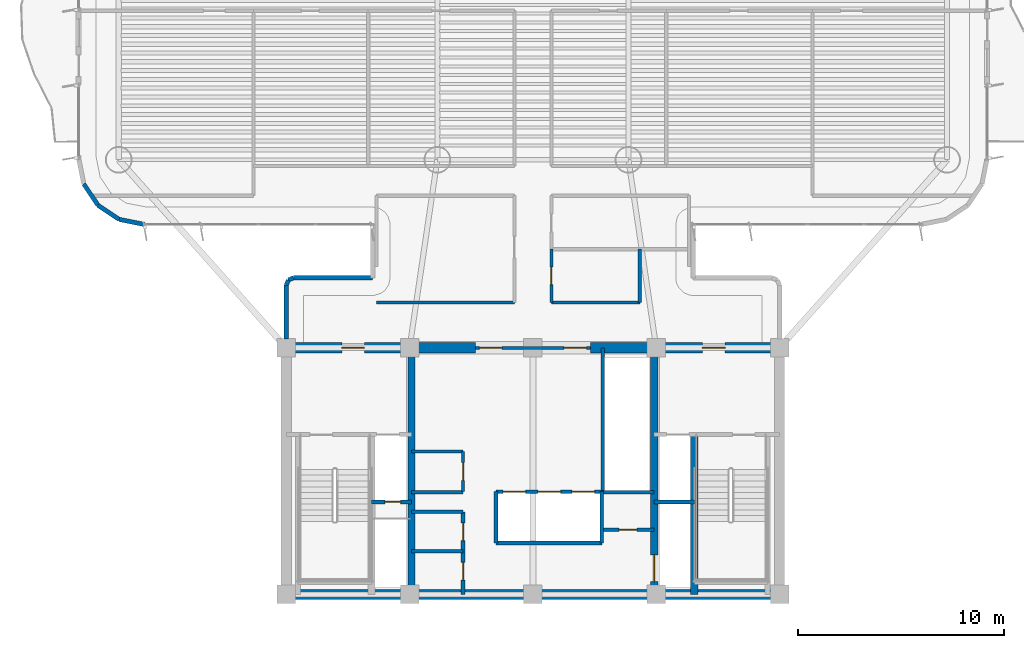
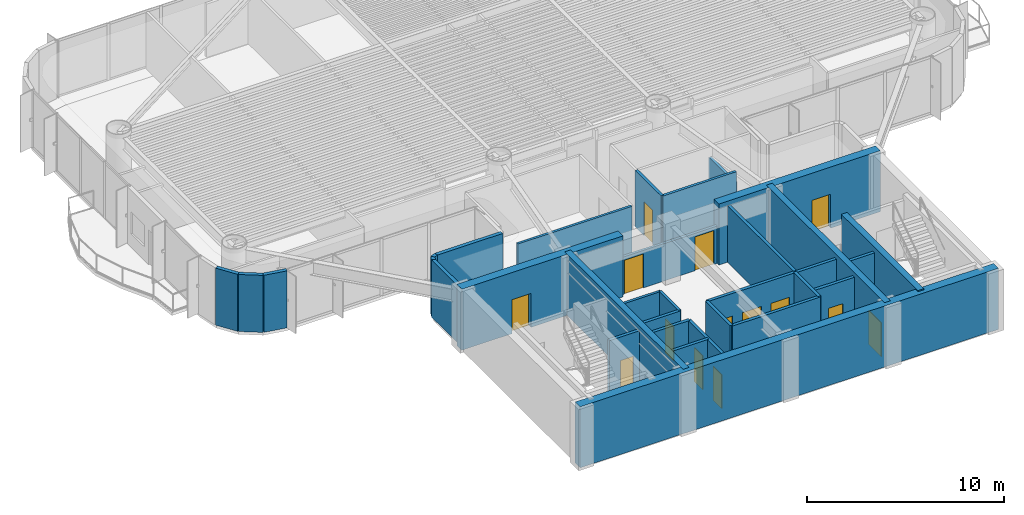
# One storey, part 9 of 16: 33 walls, 14 doors, 14 openings.
"""IFC4 building model written with IfcOpenShell, lengths in metres."""

from ifc_helpers import new_model, si_unit, direction, frame, frame_2d, origin, origin_2d, place, context, subcontext, project, spatial, rectangle, extrude, source, transform, mapped, material, layer, layer_set, type_object, element, fill, save


model = new_model("IFC4")

# Units and contexts
model_context = context("Model", 3, precision=1e-05, world=origin(), true_north=direction((0.0, 1.0)))
body_context = subcontext(model_context, "Body", "Model", "MODEL_VIEW")
ifc_project = project(units=[si_unit("LENGTHUNIT", "METRE"), si_unit("AREAUNIT", "SQUARE_METRE"), si_unit("VOLUMEUNIT", "CUBIC_METRE"), si_unit("PLANEANGLEUNIT", "RADIAN"), si_unit("MASSUNIT", "GRAM", prefix="KILO")], contexts=[model_context])

# Site, building, storey
site_placement = place(None, origin())
site = spatial("IfcSite", under=ifc_project, at=site_placement, CompositionType="ELEMENT")
building_placement = place(site_placement, origin())
building = spatial("IfcBuilding", under=site, at=building_placement, Name="Brelvock Crest Care Tower", CompositionType="ELEMENT")
storey_placement = place(building_placement, frame((0.0, 0.0, 120.06005859375)))
storey = spatial("IfcBuildingStorey", under=building, at=storey_placement, Name="L30", CompositionType="ELEMENT", Elevation=120.06005859375)

# Wall
ifc_material_1 = material(Name="Concrete S80 (80 MPa)", Category="concrete")
ifc_layer_1 = layer(ifc_material_1, 0.5, Name="WL-CS2")
ifc_layer_set_1 = layer_set([ifc_layer_1], Name="Concrete S80 (80 MPa)")
wall_type_1 = type_object("IfcWallType", Name="WL-CS2", PredefinedType="SHEAR", material=ifc_layer_set_1)
wall_1_placement = place(storey_placement, frame((48.25, 6.0, 0.0), z_axis=(0.0, 0.0, 1.0), x_axis=(-1.0, 0.0, 0.0)))
element("IfcWall", 1, at=wall_1_placement, inside=storey, type_object=wall_type_1, Name="L30 Core South Shear Wall", PredefinedType="SHEAR", context=body_context, shape_type="SweptSolid", body=[
    extrude(rectangle(XDim=24.5, YDim=0.5, at=frame_2d((12.25, 0.0))), origin(), (0.0, 0.0, 1.0), 3.780029296875),
])

# Wall, opening, door
wall_2_placement = place(storey_placement, frame((23.75, 18.0, 0.0), z_axis=(0.0, 0.0, 1.0), x_axis=(1.0, 0.0, 0.0)))
wall_2 = element("IfcWall", 2, at=wall_2_placement, inside=storey, type_object=wall_type_1, Name="L30 Core North-West Shear Wall", PredefinedType="SHEAR", context=body_context, shape_type="SweptSolid", body=[
    extrude(rectangle(XDim=9.449951171875, YDim=0.5, at=frame_2d((4.72509765625, 0.0))), origin(), (0.0, 0.0, 1.0), 3.780029296875),
])
opening_1_placement = place(wall_2_placement, frame((2.949951171875, 0.0, 0.0)))
opening_1 = element("IfcOpeningElement", 3, at=opening_1_placement, cuts=wall_2, Name="Opening FD-1", PredefinedType="OPENING", context=body_context, shape_type="SweptSolid", body=[
    extrude(rectangle(XDim=1.10009765625, YDim=2.10009765625, at=origin_2d()), frame((0.550048828125, 0.260009765625, 1.050048828125), z_axis=(0.0, -1.0, 0.0), x_axis=(1.0, 0.0, 0.0)), (0.0, 0.0, 1.0), 0.52001953125),
])
ifc_material_2 = material(Name="Steel Grade 350", Category="steel")
door_type_1 = type_object("IfcDoorType", Name="DR-FFL1", OperationType="NOTDEFINED", PredefinedType="DOOR", material=ifc_material_2)
shared_shape_1 = source(origin(), body_context, "Body", "SweptSolid", [
    extrude(rectangle(XDim=1.10009765625, YDim=2.10009765625, at=origin_2d()), frame((0.550048828125, 0.02490234375, 1.050048828125), z_axis=(0.0, -1.0, 0.0), x_axis=(1.0, 0.0, 0.0)), (0.0, 0.0, 1.0), 0.050048828125),
])
door_1_placement = place(opening_1_placement, origin())
door_1 = element("IfcDoor", 4, at=door_1_placement, inside=storey, type_object=door_type_1, Name="L30 Firefighting Lobby FFL-1 Exit Door", OperationType="SINGLE_SWING_LEFT", OverallHeight=2.10009765625, OverallWidth=1.10009765625, PredefinedType="DOOR", context=body_context, shape_type="MappedRepresentation", body=[
    mapped(shared_shape_1, transform((0.0, 0.0, 0.0), x_axis=(1.0, 0.0, 0.0), y_axis=(0.0, 1.0, 0.0), z_axis=(0.0, 0.0, 1.0), scale=1.0)),
])
fill(opening_1, door_1)

wall_3_placement = place(storey_placement, frame((38.800048828125, 18.0, 0.0), z_axis=(0.0, 0.0, 1.0), x_axis=(1.0, 0.0, 0.0)))
wall_3 = element("IfcWall", 5, at=wall_3_placement, inside=storey, type_object=wall_type_1, Name="L30 Core North-East Shear Wall", PredefinedType="SHEAR", context=body_context, shape_type="SweptSolid", body=[
    extrude(rectangle(XDim=9.449951171875, YDim=0.5, at=frame_2d((4.72509765625, 0.0))), origin(), (0.0, 0.0, 1.0), 3.780029296875),
])
opening_2_placement = place(wall_3_placement, frame((5.449951171875, 0.0, 0.0)))
opening_2 = element("IfcOpeningElement", 6, at=opening_2_placement, cuts=wall_3, Name="Opening FD-1", PredefinedType="OPENING", context=body_context, shape_type="SweptSolid", body=[
    extrude(rectangle(XDim=1.10009765625, YDim=2.10009765625, at=origin_2d()), frame((0.550048828125, 0.260009765625, 1.050048828125), z_axis=(0.0, -1.0, 0.0), x_axis=(1.0, 0.0, 0.0)), (0.0, 0.0, 1.0), 0.52001953125),
])
door_2_placement = place(opening_2_placement, origin())
door_2 = element("IfcDoor", 7, at=door_2_placement, inside=storey, type_object=door_type_1, Name="L30 Firefighting Lobby FFL-2 Exit Door", OperationType="SINGLE_SWING_RIGHT", OverallHeight=2.10009765625, OverallWidth=1.10009765625, PredefinedType="DOOR", context=body_context, shape_type="MappedRepresentation", body=[
    mapped(shared_shape_1, transform((0.0, 0.0, 0.0), x_axis=(1.0, 0.0, 0.0), y_axis=(0.0, 1.0, 0.0), z_axis=(0.0, 0.0, 1.0), scale=1.0)),
])
fill(opening_2, door_2)

# Wall
ifc_layer_2 = layer(ifc_material_1, 0.35009765625, Name="WL-CS5")
ifc_layer_set_2 = layer_set([ifc_layer_2], Name="Concrete S80 (80 MPa)")
wall_type_2 = type_object("IfcWallType", Name="WL-CS5", PredefinedType="SHEAR", material=ifc_layer_set_2)
wall_4_placement = place(storey_placement, frame((30.10009765625, 6.0, 0.0), z_axis=(0.0, 0.0, 1.0), x_axis=(0.0, 1.0, 0.0)))
element("IfcWall", 8, at=wall_4_placement, inside=storey, type_object=wall_type_2, Name="L30 Core Internal Web Wall West", PredefinedType="SHEAR", context=body_context, shape_type="SweptSolid", body=[
    extrude(rectangle(XDim=12.0, YDim=0.35009765625, at=frame_2d((6.0, 0.0))), origin(), (0.0, 0.0, 1.0), 3.780029296875),
])

# Wall, opening, door
wall_5_placement = place(storey_placement, frame((41.89990234375, 18.0, 0.0), z_axis=(0.0, 0.0, 1.0), x_axis=(0.0, -1.0, 0.0)))
wall_5 = element("IfcWall", 9, at=wall_5_placement, inside=storey, type_object=wall_type_2, Name="L30 Core Internal Web Wall East", PredefinedType="SHEAR", context=body_context, shape_type="SweptSolid", body=[
    extrude(rectangle(XDim=12.0, YDim=0.35009765625, at=frame_2d((6.0, 0.0))), origin(), (0.0, 0.0, 1.0), 3.780029296875),
])
opening_3_placement = place(wall_5_placement, frame((10.080078125, 0.0, 0.0)))
opening_3 = element("IfcOpeningElement", 10, at=opening_3_placement, cuts=wall_5, Name="Opening LD-S", PredefinedType="OPENING", context=body_context, shape_type="SweptSolid", body=[
    extrude(rectangle(XDim=1.300048828125, YDim=2.10009765625, at=origin_2d()), frame((0.64990234375, 0.18505859375, 1.050048828125), z_axis=(0.0, -1.0, 0.0), x_axis=(1.0, 0.0, 0.0)), (0.0, 0.0, 1.0), 0.3701171875),
])
door_type_2 = type_object("IfcDoorType", Name="DR-LDS1", OperationType="NOTDEFINED", PredefinedType="DOOR", material=ifc_material_2)
shared_shape_2 = source(origin(), body_context, "Body", "SweptSolid", [
    extrude(rectangle(XDim=1.300048828125, YDim=2.10009765625, at=origin_2d()), frame((0.64990234375, 0.02490234375, 1.050048828125), z_axis=(0.0, -1.0, 0.0), x_axis=(1.0, 0.0, 0.0)), (0.0, 0.0, 1.0), 0.050048828125),
])
door_3_placement = place(opening_3_placement, origin())
door_3 = element("IfcDoor", 11, at=door_3_placement, inside=storey, type_object=door_type_2, Name="L30 Clinical Bed Lift SL-1 Landing Door", OperationType="SLIDING_TO_LEFT", OverallHeight=2.10009765625, OverallWidth=1.300048828125, PredefinedType="DOOR", context=body_context, shape_type="MappedRepresentation", body=[
    mapped(shared_shape_2, transform((0.0, 0.0, 0.0), x_axis=(1.0, 0.0, 0.0), y_axis=(0.0, 1.0, 0.0), z_axis=(0.0, 0.0, 1.0), scale=1.0)),
])
fill(opening_3, door_3)

# Walls
wall_6_placement = place(storey_placement, frame((43.85009765625, 6.0, 0.0), z_axis=(0.0, 0.0, 1.0), x_axis=(0.0, 1.0, 0.0)))
element("IfcWall", 12, at=wall_6_placement, inside=storey, type_object=wall_type_2, Name="L30 Core Stair ST-2 West Shear Wall", PredefinedType="SHEAR", context=body_context, shape_type="SweptSolid", body=[
    extrude(rectangle(XDim=7.780029296875, YDim=0.35009765625, at=frame_2d((3.89013671875, 0.0))), origin(), (0.0, 0.0, 1.0), 3.849853515625),
])
ifc_material_3 = material(Name="Precast concrete N40 (40 MPa)", Category="concrete")
ifc_layer_3 = layer(ifc_material_3, 0.215087890625, Name="WL-EX2")
ifc_layer_set_3 = layer_set([ifc_layer_3], Name="Precast concrete N40 (40 MPa)")
wall_type_3 = type_object("IfcWallType", Name="WL-EX2", PredefinedType="SOLIDWALL", material=ifc_layer_set_3)
wall_7_placement = place(storey_placement, frame((24.0, 18.429931640625, 0.0), z_axis=(0.0, 0.0, 1.0), x_axis=(0.0, 1.0, 0.0)))
element("IfcWall", 13, at=wall_7_placement, inside=storey, type_object=wall_type_3, Name="L30 Rounded Corner Wall 07", PredefinedType="SOLIDWALL", context=body_context, shape_type="SweptSolid", body=[
    extrude(rectangle(XDim=2.6201171875, YDim=0.215087890625, at=frame_2d((1.31005859375, 0.0))), origin(), (0.0, 0.0, 1.0), 3.530029296875),
])
wall_8_placement = place(storey_placement, frame((24.0, 21.050048828125, 0.0), z_axis=(0.0, 0.0, 1.0), x_axis=(0.382673670509, 0.923883575944, 0.0)))
element("IfcWall", 14, at=wall_8_placement, inside=storey, type_object=wall_type_3, Name="L30 Rounded Corner Wall 08", PredefinedType="SOLIDWALL", context=body_context, shape_type="SweptSolid", body=[
    extrude(rectangle(XDim=0.26806640625, YDim=0.215087890625, at=frame_2d((0.134033203125, 0.0))), origin(), (0.0, 0.0, 1.0), 3.530029296875),
])
wall_9_placement = place(storey_placement, frame((24.1025390625, 21.297607421875, 0.0), z_axis=(0.0, 0.0, 1.0), x_axis=(0.924205486139, 0.381895560841, 0.0)))
element("IfcWall", 15, at=wall_9_placement, inside=storey, type_object=wall_type_3, Name="L30 Rounded Corner Wall 09", PredefinedType="SOLIDWALL", context=body_context, shape_type="SweptSolid", body=[
    extrude(rectangle(XDim=0.267822265625, YDim=0.215087890625, at=frame_2d((0.1337890625, 0.0))), origin(), (0.0, 0.0, 1.0), 3.530029296875),
])
wall_10_placement = place(storey_placement, frame((24.35009765625, 21.39990234375, 0.0), z_axis=(0.0, 0.0, 1.0), x_axis=(1.0, 0.0, 0.0)))
element("IfcWall", 16, at=wall_10_placement, inside=storey, type_object=wall_type_3, Name="L30 Rounded Corner Wall 10", PredefinedType="SOLIDWALL", context=body_context, shape_type="SweptSolid", body=[
    extrude(rectangle(XDim=3.849853515625, YDim=0.215087890625, at=frame_2d((1.9248046875, 0.0))), origin(), (0.0, 0.0, 1.0), 3.530029296875),
])
for number, where, z_axis, x_axis, name in (
    (17, (17.10009765625, 24.0, 0.0), (0.0, 0.0, 1.0), (-0.980775717779, 0.195138390419, 0.0), "L30 Rounded Corner Wall 13"),
    (18, (15.87548828125, 24.24365234375, 0.0), (0.0, 0.0, 1.0), (-0.831478245117, 0.555557312883, 0.0), "L30 Rounded Corner Wall 14"),
    (19, (14.83740234375, 24.937255859375, 0.0), (0.0, 0.0, 1.0), (-0.555692485475, 0.831387912822, 0.0), "L30 Rounded Corner Wall 15"),
):
    element("IfcWall", number, at=place(storey_placement, frame(where, z_axis=z_axis, x_axis=x_axis)), inside=storey, type_object=wall_type_3, Name=name, PredefinedType="SOLIDWALL", context=body_context, shape_type="SweptSolid", body=[
        extrude(rectangle(XDim=1.24853515625, YDim=0.215087890625, at=frame_2d((0.624267578125, 0.0))), origin(), (0.0, 0.0, 1.0), 3.530029296875),
    ])
ifc_material_4 = material(Name="Masonry Blockwork Acoustic Partition", Category="masonry")
ifc_layer_4 = layer(ifc_material_4, 0.14990234375, Name="WL-INT1")
ifc_layer_set_4 = layer_set([ifc_layer_4], Name="Masonry Blockwork Acoustic Partition")
wall_type_4 = type_object("IfcWallType", Name="WL-INT1", PredefinedType="PARTITIONING", material=ifc_layer_set_4)
wall_11_placement = place(storey_placement, frame((30.10009765625, 12.949951171875, 0.0), z_axis=(0.0, 0.0, 1.0), x_axis=(1.0, 0.0, 0.0)))
element("IfcWall", 20, at=wall_11_placement, inside=storey, type_object=wall_type_4, Name="L30 Interior Wall WL-CRCL-N2-L30", PredefinedType="PARTITIONING", context=body_context, shape_type="SweptSolid", body=[
    extrude(rectangle(XDim=2.5, YDim=0.14990234375, at=frame_2d((1.25, 0.0))), origin(), (0.0, 0.0, 1.0), 3.5),
])

# Wall, opening, door
wall_12_placement = place(storey_placement, frame((32.60009765625, 11.0, 0.0), z_axis=(0.0, 0.0, 1.0), x_axis=(0.0, 1.0, 0.0)))
wall_12 = element("IfcWall", 21, at=wall_12_placement, inside=storey, type_object=wall_type_4, Name="L30 Interior Wall WL-CRCL-E-L30", PredefinedType="PARTITIONING", context=body_context, shape_type="SweptSolid", body=[
    extrude(rectangle(XDim=1.949951171875, YDim=0.14990234375, at=frame_2d((0.97509765625, 0.0))), origin(), (0.0, 0.0, 1.0), 3.5),
])
opening_4_placement = place(wall_12_placement, frame((0.550048828125, 0.0, 0.0)))
opening_4 = element("IfcOpeningElement", 22, at=opening_4_placement, cuts=wall_12, Name="Opening ID-1", PredefinedType="OPENING", context=body_context, shape_type="SweptSolid", body=[
    extrude(rectangle(XDim=0.860107421875, YDim=2.10009765625, at=origin_2d()), frame((0.43017578125, 0.0849609375, 1.050048828125), z_axis=(0.0, -1.0, 0.0), x_axis=(1.0, 0.0, 0.0)), (0.0, 0.0, 1.0), 0.169921875),
])
ifc_material_5 = material(Name="Engineered Hardwood Timber", Category="wood")
door_type_3 = type_object("IfcDoorType", Name="DR-INT1", OperationType="NOTDEFINED", PredefinedType="DOOR", material=ifc_material_5)
shared_shape_3 = source(origin(), body_context, "Body", "SweptSolid", [
    extrude(rectangle(XDim=0.860107421875, YDim=2.10009765625, at=origin_2d()), frame((0.43017578125, 0.02490234375, 1.050048828125), z_axis=(0.0, -1.0, 0.0), x_axis=(1.0, 0.0, 0.0)), (0.0, 0.0, 1.0), 0.050048828125),
])
door_4_placement = place(opening_4_placement, origin())
door_4 = element("IfcDoor", 23, at=door_4_placement, inside=storey, type_object=door_type_3, Name="DR-CRCL1-L30", OperationType="SINGLE_SWING_LEFT", OverallHeight=2.10009765625, OverallWidth=0.860107421875, PredefinedType="DOOR", context=body_context, shape_type="MappedRepresentation", body=[
    mapped(shared_shape_3, transform((0.0, 0.0, 0.0), x_axis=(1.0, 0.0, 0.0), y_axis=(0.0, 1.0, 0.0), z_axis=(0.0, 0.0, 1.0), scale=1.0)),
])
fill(opening_4, door_4)

# Wall, openings, doors
wall_13_placement = place(storey_placement, frame((33.199951171875, 18.0, 0.0), z_axis=(0.0, 0.0, 1.0), x_axis=(1.0, 0.0, 0.0)))
wall_13 = element("IfcWall", 24, at=wall_13_placement, inside=storey, type_object=wall_type_4, Name="L30 Interior Wall WL-CORE-NPORT-L30", PredefinedType="PARTITIONING", context=body_context, shape_type="SweptSolid", body=[
    extrude(rectangle(XDim=5.60009765625, YDim=0.14990234375, at=frame_2d((2.800048828125, 0.0))), origin(), (0.0, 0.0, 1.0), 2.31494140625),
])
opening_5_placement = place(wall_13_placement, frame((0.18994140625, 0.0, 0.0)))
opening_5 = element("IfcOpeningElement", 25, at=opening_5_placement, cuts=wall_13, Name="Opening FD-1", PredefinedType="OPENING", context=body_context, shape_type="SweptSolid", body=[
    extrude(rectangle(XDim=1.10009765625, YDim=2.10009765625, at=origin_2d()), frame((0.550048828125, 0.0849609375, 1.050048828125), z_axis=(0.0, -1.0, 0.0), x_axis=(1.0, 0.0, 0.0)), (0.0, 0.0, 1.0), 0.169921875),
])
opening_6_placement = place(wall_13_placement, frame((4.31005859375, 0.0, 0.0)))
opening_6 = element("IfcOpeningElement", 26, at=opening_6_placement, cuts=wall_13, Name="Opening FD-1", PredefinedType="OPENING", context=body_context, shape_type="SweptSolid", body=[
    extrude(rectangle(XDim=1.10009765625, YDim=2.10009765625, at=origin_2d()), frame((0.550048828125, 0.0849609375, 1.050048828125), z_axis=(0.0, -1.0, 0.0), x_axis=(1.0, 0.0, 0.0)), (0.0, 0.0, 1.0), 0.169921875),
])
door_5_placement = place(opening_5_placement, origin())
door_5 = element("IfcDoor", 27, at=door_5_placement, inside=storey, type_object=door_type_1, Name="L30 Lift Lobby North Smoke Door West", OperationType="SINGLE_SWING_LEFT", OverallHeight=2.10009765625, OverallWidth=1.10009765625, PredefinedType="DOOR", context=body_context, shape_type="MappedRepresentation", body=[
    mapped(shared_shape_1, transform((0.0, 0.0, 0.0), x_axis=(1.0, 0.0, 0.0), y_axis=(0.0, 1.0, 0.0), z_axis=(0.0, 0.0, 1.0), scale=1.0)),
])
fill(opening_5, door_5)
door_6_placement = place(opening_6_placement, origin())
door_6 = element("IfcDoor", 28, at=door_6_placement, inside=storey, type_object=door_type_1, Name="L30 Lift Lobby North Smoke Door East", OperationType="SINGLE_SWING_RIGHT", OverallHeight=2.10009765625, OverallWidth=1.10009765625, PredefinedType="DOOR", context=body_context, shape_type="MappedRepresentation", body=[
    mapped(shared_shape_1, transform((0.0, 0.0, 0.0), x_axis=(1.0, 0.0, 0.0), y_axis=(0.0, 1.0, 0.0), z_axis=(0.0, 0.0, 1.0), scale=1.0)),
])
fill(opening_6, door_6)

# Walls
wall_14_placement = place(storey_placement, frame((28.39990234375, 20.199951171875, 0.0), z_axis=(0.0, 0.0, 1.0), x_axis=(1.0, 0.0, 0.0)))
element("IfcWall", 29, at=wall_14_placement, inside=storey, type_object=wall_type_4, Name="L30 Interior Wall WL-BX-L30-THW-S", PredefinedType="PARTITIONING", context=body_context, shape_type="SweptSolid", body=[
    extrude(rectangle(XDim=6.7001953125, YDim=0.14990234375, at=frame_2d((3.35009765625, 0.0))), origin(), (0.0, 0.0, 1.0), 3.5),
])
ifc_material_6 = material(Name="Gypsum Plasterboard Partition", Category="gypsum")
ifc_layer_5 = layer(ifc_material_6, 0.159912109375, Name="WL-PLM1")
ifc_layer_set_5 = layer_set([ifc_layer_5], Name="Gypsum Plasterboard Partition")
wall_type_5 = type_object("IfcWallType", Name="WL-PLM1", PredefinedType="PLUMBINGWALL", material=ifc_layer_set_5)
wall_15_placement = place(storey_placement, frame((36.89990234375, 20.199951171875, 0.0), z_axis=(0.0, 0.0, 1.0), x_axis=(1.0, 0.0, 0.0)))
element("IfcWall", 30, at=wall_15_placement, inside=storey, type_object=wall_type_5, Name="L30 Interior Wall WL-BX-L30-THE1-S", PredefinedType="PLUMBINGWALL", context=body_context, shape_type="SweptSolid", body=[
    extrude(rectangle(XDim=4.300048828125, YDim=0.159912109375, at=frame_2d((2.14990234375, 0.0))), origin(), (0.0, 0.0, 1.0), 3.5),
])

# Wall, opening, door
wall_16_placement = place(storey_placement, frame((36.89990234375, 20.199951171875, 0.0), z_axis=(0.0, 0.0, 1.0), x_axis=(0.0, 1.0, 0.0)))
wall_16 = element("IfcWall", 31, at=wall_16_placement, inside=storey, type_object=wall_type_5, Name="L30 Interior Wall WL-RM-L30-THE1", PredefinedType="PLUMBINGWALL", context=body_context, shape_type="SweptSolid", body=[
    extrude(rectangle(XDim=2.60009765625, YDim=0.159912109375, at=frame_2d((1.300048828125, 0.0))), origin(), (0.0, 0.0, 1.0), 3.5),
])
opening_7_placement = place(wall_16_placement, frame((0.8701171875, 0.0, 0.0)))
opening_7 = element("IfcOpeningElement", 32, at=opening_7_placement, cuts=wall_16, Name="Opening WD-1", PredefinedType="OPENING", context=body_context, shape_type="SweptSolid", body=[
    extrude(rectangle(XDim=0.860107421875, YDim=2.10009765625, at=origin_2d()), frame((0.43017578125, 0.08984375, 1.050048828125), z_axis=(0.0, -1.0, 0.0), x_axis=(1.0, 0.0, 0.0)), (0.0, 0.0, 1.0), 0.179931640625),
])
door_type_4 = type_object("IfcDoorType", Name="DR-WC1", OperationType="NOTDEFINED", PredefinedType="DOOR", material=ifc_material_5)
shared_shape_4 = source(origin(), body_context, "Body", "SweptSolid", [
    extrude(rectangle(XDim=0.860107421875, YDim=2.10009765625, at=origin_2d()), frame((0.43017578125, 0.02490234375, 1.050048828125), z_axis=(0.0, -1.0, 0.0), x_axis=(1.0, 0.0, 0.0)), (0.0, 0.0, 1.0), 0.050048828125),
])
door_7_placement = place(opening_7_placement, origin())
door_7 = element("IfcDoor", 33, at=door_7_placement, inside=storey, type_object=door_type_4, Name="L30 Floor Accessible WC Door THE1", OperationType="SINGLE_SWING_LEFT", OverallHeight=2.10009765625, OverallWidth=0.860107421875, PredefinedType="DOOR", context=body_context, shape_type="MappedRepresentation", body=[
    mapped(shared_shape_4, transform((0.0, 0.0, 0.0), x_axis=(1.0, 0.0, 0.0), y_axis=(0.0, 1.0, 0.0), z_axis=(0.0, 0.0, 1.0), scale=1.0)),
])
fill(opening_7, door_7)

# Walls
wall_17_placement = place(storey_placement, frame((41.199951171875, 20.199951171875, 0.0), z_axis=(0.0, 0.0, 1.0), x_axis=(0.0, 1.0, 0.0)))
element("IfcWall", 34, at=wall_17_placement, inside=storey, type_object=wall_type_5, Name="L30 Interior Wall WL-BX-L30-THE1-E", PredefinedType="PLUMBINGWALL", context=body_context, shape_type="SweptSolid", body=[
    extrude(rectangle(XDim=2.60009765625, YDim=0.159912109375, at=frame_2d((1.300048828125, 0.0))), origin(), (0.0, 0.0, 1.0), 2.81494140625),
])
ifc_layer_6 = layer(ifc_material_4, 0.179931640625, Name="WL-SHF1")
ifc_layer_set_6 = layer_set([ifc_layer_6], Name="Masonry Blockwork Acoustic Partition")
wall_type_6 = type_object("IfcWallType", Name="WL-SHF1", PredefinedType="PARTITIONING", material=ifc_layer_set_6)
wall_18_placement = place(storey_placement, frame((34.199951171875, 8.5, 0.0), z_axis=(0.0, 0.0, 1.0), x_axis=(1.0, 0.0, 0.0)))
element("IfcWall", 35, at=wall_18_placement, inside=storey, type_object=wall_type_6, Name="L30 Interior Wall WL-PLM-S-L30", PredefinedType="PARTITIONING", context=body_context, shape_type="SweptSolid", body=[
    extrude(rectangle(XDim=5.150146484375, YDim=0.179931640625, at=frame_2d((2.5751953125, 0.0))), origin(), (0.0, 0.0, 1.0), 3.5),
])
for number, where, z_axis, x_axis, name in (
    (36, (34.199951171875, 8.5, 0.0), (0.0, 0.0, 1.0), (0.0, 1.0, 0.0), "L30 Interior Wall WL-PLM-W-L30"),
    (37, (39.35009765625, 8.5, 0.0), (0.0, 0.0, 1.0), (0.0, 1.0, 0.0), "L30 Interior Wall WL-PLM-E-L30"),
):
    element("IfcWall", number, at=place(storey_placement, frame(where, z_axis=z_axis, x_axis=x_axis)), inside=storey, type_object=wall_type_6, Name=name, PredefinedType="PARTITIONING", context=body_context, shape_type="SweptSolid", body=[
        extrude(rectangle(XDim=2.5, YDim=0.179931640625, at=frame_2d((1.25, 0.0))), origin(), (0.0, 0.0, 1.0), 3.5),
    ])
wall_19_placement = place(storey_placement, frame((39.39990234375, 11.0, 0.0), z_axis=(0.0, 0.0, 1.0), x_axis=(0.0, 1.0, 0.0)))
element("IfcWall", 38, at=wall_19_placement, inside=storey, type_object=wall_type_6, Name="L30 Interior Wall WL-PLH-SHF-L30", PredefinedType="PARTITIONING", context=body_context, shape_type="SweptSolid", body=[
    extrude(rectangle(XDim=7.0, YDim=0.179931640625, at=frame_2d((3.5, 0.0))), origin(), (0.0, 0.0, 1.0), 3.5),
])
wall_20_placement = place(storey_placement, frame((30.10009765625, 10.97998046875, 0.0), z_axis=(0.0, 0.0, 1.0), x_axis=(1.0, 0.0, 0.0)))
element("IfcWall", 39, at=wall_20_placement, inside=storey, type_object=wall_type_6, Name="L30 Interior Wall WL-CSBW-N-L30", PredefinedType="PARTITIONING", context=body_context, shape_type="SweptSolid", body=[
    extrude(rectangle(XDim=2.5, YDim=0.179931640625, at=frame_2d((1.25, 0.0))), origin(), (0.0, 0.0, 1.0), 3.5),
])
wall_21_placement = place(storey_placement, frame((39.35009765625, 10.97998046875, 0.0), z_axis=(0.0, 0.0, 1.0), x_axis=(1.0, 0.0, 0.0)))
element("IfcWall", 40, at=wall_21_placement, inside=storey, type_object=wall_type_6, Name="L30 Interior Wall WL-CSBE-N-L30", PredefinedType="PARTITIONING", context=body_context, shape_type="SweptSolid", body=[
    extrude(rectangle(XDim=2.5498046875, YDim=0.179931640625, at=frame_2d((1.27490234375, 0.0))), origin(), (0.0, 0.0, 1.0), 3.5),
])
for number, where, z_axis, x_axis, name in (
    (41, (30.10009765625, 8.10009765625, 0.0), (0.0, 0.0, 1.0), (1.0, 0.0, 0.0), "L30 Interior Wall WL-CSBW-SP-L30"),
    (42, (30.10009765625, 10.02001953125, 0.0), (0.0, 0.0, 1.0), (1.0, 0.0, 0.0), "L30 Interior Wall WL-CSBW-N2-L30"),
):
    element("IfcWall", number, at=place(storey_placement, frame(where, z_axis=z_axis, x_axis=x_axis)), inside=storey, type_object=wall_type_6, Name=name, PredefinedType="PARTITIONING", context=body_context, shape_type="SweptSolid", body=[
        extrude(rectangle(XDim=2.5, YDim=0.179931640625, at=frame_2d((1.25, 0.0))), origin(), (0.0, 0.0, 1.0), 3.5),
    ])

# Wall, openings, doors
wall_22_placement = place(storey_placement, frame((32.60009765625, 6.0, 0.0), z_axis=(0.0, 0.0, 1.0), x_axis=(0.0, 1.0, 0.0)))
wall_22 = element("IfcWall", 43, at=wall_22_placement, inside=storey, type_object=wall_type_6, Name="L30 Interior Wall WL-CSBW-E-L30", PredefinedType="PARTITIONING", context=body_context, shape_type="SweptSolid", body=[
    extrude(rectangle(XDim=4.02001953125, YDim=0.179931640625, at=frame_2d((2.010009765625, 0.0))), origin(), (0.0, 0.0, 1.0), 3.5),
])
opening_8_placement = place(wall_22_placement, frame((0.699951171875, 0.0, 0.0)))
opening_8 = element("IfcOpeningElement", 44, at=opening_8_placement, cuts=wall_22, Name="Opening ID-1", PredefinedType="OPENING", context=body_context, shape_type="SweptSolid", body=[
    extrude(rectangle(XDim=0.860107421875, YDim=2.10009765625, at=origin_2d()), frame((0.43017578125, 0.10009765625, 1.050048828125), z_axis=(0.0, -1.0, 0.0), x_axis=(1.0, 0.0, 0.0)), (0.0, 0.0, 1.0), 0.199951171875),
])
opening_9_placement = place(wall_22_placement, frame((2.6201171875, 0.0, 0.0)))
opening_9 = element("IfcOpeningElement", 45, at=opening_9_placement, cuts=wall_22, Name="Opening ID-1", PredefinedType="OPENING", context=body_context, shape_type="SweptSolid", body=[
    extrude(rectangle(XDim=0.860107421875, YDim=2.10009765625, at=origin_2d()), frame((0.43017578125, 0.10009765625, 1.050048828125), z_axis=(0.0, -1.0, 0.0), x_axis=(1.0, 0.0, 0.0)), (0.0, 0.0, 1.0), 0.199951171875),
])
door_8_placement = place(opening_8_placement, origin())
door_8 = element("IfcDoor", 46, at=door_8_placement, inside=storey, type_object=door_type_3, Name="DR-CSBW1-L30", OperationType="SINGLE_SWING_LEFT", OverallHeight=2.10009765625, OverallWidth=0.860107421875, PredefinedType="DOOR", context=body_context, shape_type="MappedRepresentation", body=[
    mapped(shared_shape_3, transform((0.0, 0.0, 0.0), x_axis=(1.0, 0.0, 0.0), y_axis=(0.0, 1.0, 0.0), z_axis=(0.0, 0.0, 1.0), scale=1.0)),
])
fill(opening_8, door_8)
door_9_placement = place(opening_9_placement, origin())
door_9 = element("IfcDoor", 47, at=door_9_placement, inside=storey, type_object=door_type_3, Name="DR-CSBW2-L30", OperationType="SINGLE_SWING_RIGHT", OverallHeight=2.10009765625, OverallWidth=0.860107421875, PredefinedType="DOOR", context=body_context, shape_type="MappedRepresentation", body=[
    mapped(shared_shape_3, transform((0.0, 0.0, 0.0), x_axis=(1.0, 0.0, 0.0), y_axis=(0.0, 1.0, 0.0), z_axis=(0.0, 0.0, 1.0), scale=1.0)),
])
fill(opening_9, door_9)

# Wall, opening, door
wall_23_placement = place(storey_placement, frame((39.35009765625, 9.14990234375, 0.0), z_axis=(0.0, 0.0, 1.0), x_axis=(1.0, 0.0, 0.0)))
wall_23 = element("IfcWall", 48, at=wall_23_placement, inside=storey, type_object=wall_type_6, Name="L30 Interior Wall WL-CSBE-S-L30", PredefinedType="PARTITIONING", context=body_context, shape_type="SweptSolid", body=[
    extrude(rectangle(XDim=2.5498046875, YDim=0.179931640625, at=frame_2d((1.27490234375, 0.0))), origin(), (0.0, 0.0, 1.0), 3.5),
])
opening_10_placement = place(wall_23_placement, frame((0.85009765625, 0.0, 0.0)))
opening_10 = element("IfcOpeningElement", 49, at=opening_10_placement, cuts=wall_23, Name="Opening ID-1", PredefinedType="OPENING", context=body_context, shape_type="SweptSolid", body=[
    extrude(rectangle(XDim=0.860107421875, YDim=2.10009765625, at=origin_2d()), frame((0.43017578125, 0.10009765625, 1.050048828125), z_axis=(0.0, -1.0, 0.0), x_axis=(1.0, 0.0, 0.0)), (0.0, 0.0, 1.0), 0.199951171875),
])
door_10_placement = place(opening_10_placement, origin())
door_10 = element("IfcDoor", 50, at=door_10_placement, inside=storey, type_object=door_type_3, Name="DR-CSBE-L30", OperationType="SINGLE_SWING_LEFT", OverallHeight=2.10009765625, OverallWidth=0.860107421875, PredefinedType="DOOR", context=body_context, shape_type="MappedRepresentation", body=[
    mapped(shared_shape_3, transform((0.0, 0.0, 0.0), x_axis=(1.0, 0.0, 0.0), y_axis=(0.0, 1.0, 0.0), z_axis=(0.0, 0.0, 1.0), scale=1.0)),
])
fill(opening_10, door_10)

wall_24_placement = place(storey_placement, frame((28.14990234375, 10.5, 0.0), z_axis=(0.0, 0.0, 1.0), x_axis=(1.0, 0.0, 0.0)))
wall_24 = element("IfcWall", 51, at=wall_24_placement, inside=storey, type_object=wall_type_6, Name="L30 Interior Wall WL-FFH1-S-L30", PredefinedType="PARTITIONING", context=body_context, shape_type="SweptSolid", body=[
    extrude(rectangle(XDim=1.9501953125, YDim=0.179931640625, at=frame_2d((0.97509765625, 0.0))), origin(), (0.0, 0.0, 1.0), 3.5),
])
opening_11_placement = place(wall_24_placement, frame((0.64990234375, 0.0, 0.0)))
opening_11 = element("IfcOpeningElement", 52, at=opening_11_placement, cuts=wall_24, Name="Opening RD-1", PredefinedType="OPENING", context=body_context, shape_type="SweptSolid", body=[
    extrude(rectangle(XDim=0.760009765625, YDim=2.050048828125, at=origin_2d()), frame((0.3798828125, 0.10009765625, 1.02490234375), z_axis=(0.0, -1.0, 0.0), x_axis=(1.0, 0.0, 0.0)), (0.0, 0.0, 1.0), 0.199951171875),
])
door_type_5 = type_object("IfcDoorType", Name="DR-RIS1", OperationType="NOTDEFINED", PredefinedType="DOOR", material=ifc_material_2)
shared_shape_5 = source(origin(), body_context, "Body", "SweptSolid", [
    extrude(rectangle(XDim=0.760009765625, YDim=2.050048828125, at=origin_2d()), frame((0.3798828125, 0.02490234375, 1.02490234375), z_axis=(0.0, -1.0, 0.0), x_axis=(1.0, 0.0, 0.0)), (0.0, 0.0, 1.0), 0.050048828125),
])
door_11_placement = place(opening_11_placement, origin())
door_11 = element("IfcDoor", 53, at=door_11_placement, inside=storey, type_object=door_type_5, Name="L30 Wet Fire Riser Access Door", OperationType="SINGLE_SWING_LEFT", OverallHeight=2.050048828125, OverallWidth=0.760009765625, PredefinedType="DOOR", context=body_context, shape_type="MappedRepresentation", body=[
    mapped(shared_shape_5, transform((0.0, 0.0, 0.0), x_axis=(1.0, 0.0, 0.0), y_axis=(0.0, 1.0, 0.0), z_axis=(0.0, 0.0, 1.0), scale=1.0)),
])
fill(opening_11, door_11)

# Wall
wall_25_placement = place(storey_placement, frame((41.89990234375, 10.5, 0.0), z_axis=(0.0, 0.0, 1.0), x_axis=(1.0, 0.0, 0.0)))
element("IfcWall", 54, at=wall_25_placement, inside=storey, type_object=wall_type_6, Name="L30 Interior Wall WL-FFH2-S-L30", PredefinedType="PARTITIONING", context=body_context, shape_type="SweptSolid", body=[
    extrude(rectangle(XDim=1.9501953125, YDim=0.179931640625, at=frame_2d((0.97509765625, 0.0))), origin(), (0.0, 0.0, 1.0), 3.5),
])

# Wall, openings, doors
wall_26_placement = place(storey_placement, frame((34.199951171875, 11.0, 0.0), z_axis=(0.0, 0.0, 1.0), x_axis=(1.0, 0.0, 0.0)))
wall_26 = element("IfcWall", 55, at=wall_26_placement, inside=storey, type_object=wall_type_6, Name="L30 Interior Wall WL-PLM-BANK-L30", PredefinedType="PARTITIONING", context=body_context, shape_type="SweptSolid", body=[
    extrude(rectangle(XDim=5.150146484375, YDim=0.179931640625, at=frame_2d((2.5751953125, 0.0))), origin(), (0.0, 0.0, 1.0), 3.5),
])
opening_12_placement = place(wall_26_placement, frame((0.35009765625, 0.0, 0.0)))
opening_12 = element("IfcOpeningElement", 56, at=opening_12_placement, cuts=wall_26, Name="Opening LD", PredefinedType="OPENING", context=body_context, shape_type="SweptSolid", body=[
    extrude(rectangle(XDim=1.10009765625, YDim=2.10009765625, at=origin_2d()), frame((0.550048828125, 0.10009765625, 1.050048828125), z_axis=(0.0, -1.0, 0.0), x_axis=(1.0, 0.0, 0.0)), (0.0, 0.0, 1.0), 0.199951171875),
])
opening_13_placement = place(wall_26_placement, frame((2.050048828125, 0.0, 0.0)))
opening_13 = element("IfcOpeningElement", 57, at=opening_13_placement, cuts=wall_26, Name="Opening LD", PredefinedType="OPENING", context=body_context, shape_type="SweptSolid", body=[
    extrude(rectangle(XDim=1.10009765625, YDim=2.10009765625, at=origin_2d()), frame((0.550048828125, 0.10009765625, 1.050048828125), z_axis=(0.0, -1.0, 0.0), x_axis=(1.0, 0.0, 0.0)), (0.0, 0.0, 1.0), 0.199951171875),
])
opening_14_placement = place(wall_26_placement, frame((3.699951171875, 0.0, 0.0)))
opening_14 = element("IfcOpeningElement", 58, at=opening_14_placement, cuts=wall_26, Name="Opening LD", PredefinedType="OPENING", context=body_context, shape_type="SweptSolid", body=[
    extrude(rectangle(XDim=1.10009765625, YDim=2.10009765625, at=origin_2d()), frame((0.550048828125, 0.10009765625, 1.050048828125), z_axis=(0.0, -1.0, 0.0), x_axis=(1.0, 0.0, 0.0)), (0.0, 0.0, 1.0), 0.199951171875),
])
door_type_6 = type_object("IfcDoorType", Name="DR-LD1", OperationType="NOTDEFINED", PredefinedType="DOOR", material=ifc_material_2)
shared_shape_6 = source(origin(), body_context, "Body", "SweptSolid", [
    extrude(rectangle(XDim=1.10009765625, YDim=2.10009765625, at=origin_2d()), frame((0.550048828125, 0.02490234375, 1.050048828125), z_axis=(0.0, -1.0, 0.0), x_axis=(1.0, 0.0, 0.0)), (0.0, 0.0, 1.0), 0.050048828125),
])
door_12_placement = place(opening_12_placement, origin())
door_12 = element("IfcDoor", 59, at=door_12_placement, inside=storey, type_object=door_type_6, Name="L30 Lift PL-M1 Landing Door", OperationType="SLIDING_TO_LEFT", OverallHeight=2.10009765625, OverallWidth=1.10009765625, PredefinedType="DOOR", context=body_context, shape_type="MappedRepresentation", body=[
    mapped(shared_shape_6, transform((0.0, 0.0, 0.0), x_axis=(1.0, 0.0, 0.0), y_axis=(0.0, 1.0, 0.0), z_axis=(0.0, 0.0, 1.0), scale=1.0)),
])
fill(opening_12, door_12)
door_13_placement = place(opening_13_placement, origin())
door_13 = element("IfcDoor", 60, at=door_13_placement, inside=storey, type_object=door_type_6, Name="L30 Lift PL-M2 Landing Door", OperationType="SLIDING_TO_LEFT", OverallHeight=2.10009765625, OverallWidth=1.10009765625, PredefinedType="DOOR", context=body_context, shape_type="MappedRepresentation", body=[
    mapped(shared_shape_6, transform((0.0, 0.0, 0.0), x_axis=(1.0, 0.0, 0.0), y_axis=(0.0, 1.0, 0.0), z_axis=(0.0, 0.0, 1.0), scale=1.0)),
])
fill(opening_13, door_13)
door_14_placement = place(opening_14_placement, origin())
door_14 = element("IfcDoor", 61, at=door_14_placement, inside=storey, type_object=door_type_6, Name="L30 Lift PL-M3 Landing Door", OperationType="SLIDING_TO_LEFT", OverallHeight=2.10009765625, OverallWidth=1.10009765625, PredefinedType="DOOR", context=body_context, shape_type="MappedRepresentation", body=[
    mapped(shared_shape_6, transform((0.0, 0.0, 0.0), x_axis=(1.0, 0.0, 0.0), y_axis=(0.0, 1.0, 0.0), z_axis=(0.0, 0.0, 1.0), scale=1.0)),
])
fill(opening_14, door_14)

save(model, "model.ifc")
